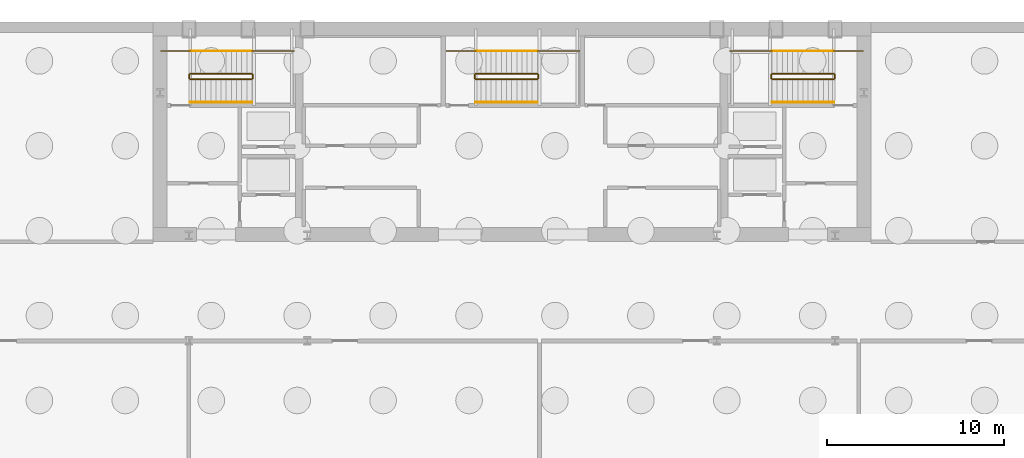
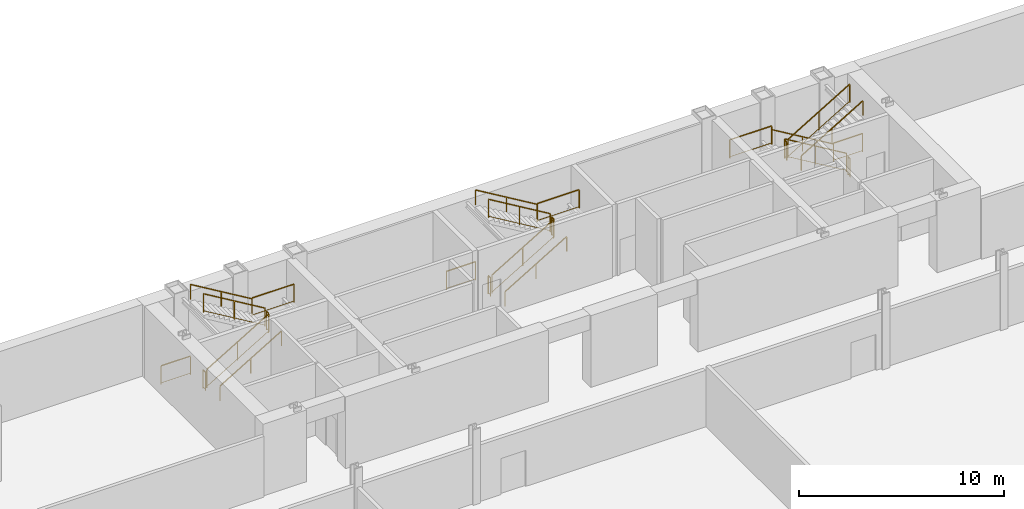
# One storey, part 10 of 11: 24 railings.
"""IFC4 building model written with IfcOpenShell, lengths in metres."""

from ifc_helpers import new_model, si_unit, direction, frame, origin, origin_2d, place, context, subcontext, project, spatial, rectangle, extrude, material, type_object, element, save


model = new_model("IFC4")

# Units and contexts
model_context = context("Model", 3, precision=1e-05, world=origin(), true_north=direction((0.0, 1.0)))
body_context = subcontext(model_context, "Body", "Model", "MODEL_VIEW")
ifc_project = project(units=[si_unit("LENGTHUNIT", "METRE"), si_unit("AREAUNIT", "SQUARE_METRE"), si_unit("VOLUMEUNIT", "CUBIC_METRE"), si_unit("PLANEANGLEUNIT", "RADIAN"), si_unit("MASSUNIT", "GRAM", prefix="KILO")], contexts=[model_context])

# Site, building, storey
site_placement = place(None, origin())
site = spatial("IfcSite", under=ifc_project, at=site_placement, CompositionType="ELEMENT")
building_placement = place(site_placement, origin())
building = spatial("IfcBuilding", under=site, at=building_placement, Name="Khoronbel Lancet Exchange", CompositionType="ELEMENT")
storey_placement = place(building_placement, frame((0.0, 0.0, -9.0)))
storey = spatial("IfcBuildingStorey", under=building, at=storey_placement, Name="B2", CompositionType="ELEMENT", Elevation=-9.0)

# Railings
ifc_material_1 = material(Name="Painted Steel Balustrade", Category="steel")
railing_type_1 = type_object("IfcRailingType", Name="RL-STG110", PredefinedType="GUARDRAIL", material=ifc_material_1)
railing_1_placement = place(storey_placement, frame((18.300048828125, 50.449951171875, 0.173095703125)))
element("IfcRailing", 1, at=railing_1_placement, inside=storey, type_object=railing_type_1, Name="B2 ST1 stair guard 1", PredefinedType="GUARDRAIL", context=body_context, shape_type="SweptSolid", body=[
    extrude(rectangle(XDim=0.048095703125, YDim=0.048095703125, at=origin_2d()), frame((0.0, 0.0, 1.09619140625), z_axis=(0.858697190188, 0.0, 0.512483302717), x_axis=(0.0, 1.0, 0.0)), (0.0, 0.0, 1.0), 4.052734375),
    extrude(rectangle(XDim=0.02392578125, YDim=0.02392578125, at=origin_2d()), frame((0.0, 0.0, 0.080078125), z_axis=(0.858697190188, 0.0, 0.512483302717), x_axis=(0.0, 1.0, 0.0)), (0.0, 0.0, 1.0), 4.052734375),
    extrude(rectangle(XDim=0.0419921875, YDim=0.0419921875, at=origin_2d()), origin(), (0.0, 0.0, 1.0), 1.072021484375),
    extrude(rectangle(XDim=0.0419921875, YDim=0.0419921875, at=origin_2d()), frame((1.739990234375, 0.0, 1.03857421875)), (0.0, 0.0, 1.0), 1.072021484375),
    extrude(rectangle(XDim=0.0419921875, YDim=0.0419921875, at=origin_2d()), frame((3.47998046875, 0.0, 2.076904296875)), (0.0, 0.0, 1.0), 1.072021484375),
])
railing_2_placement = place(storey_placement, frame((21.830078125, 50.5, 2.25)))
element("IfcRailing", 2, at=railing_2_placement, inside=storey, type_object=railing_type_1, Name="B2 ST1 stair guard 2", PredefinedType="GUARDRAIL", context=body_context, shape_type="SweptSolid", body=[
    extrude(rectangle(XDim=0.048095703125, YDim=0.048095703125, at=origin_2d()), frame((0.0, 0.0, 1.09619140625), z_axis=(0.0, 1.0, 0.0), x_axis=(-1.0, 0.0, 0.0)), (0.0, 0.0, 1.0), 0.219970703125),
    extrude(rectangle(XDim=0.02392578125, YDim=0.02392578125, at=origin_2d()), frame((0.0, 0.0, 0.080078125), z_axis=(0.0, 1.0, 0.0), x_axis=(-1.0, 0.0, 0.0)), (0.0, 0.0, 1.0), 0.219970703125),
    extrude(rectangle(XDim=0.0419921875, YDim=0.0419921875, at=origin_2d()), origin(), (0.0, 0.0, 1.0), 1.072021484375),
    extrude(rectangle(XDim=0.0419921875, YDim=0.0419921875, at=origin_2d()), frame((0.0, 0.219970703125, 0.0)), (0.0, 0.0, 1.0), 1.072021484375),
])
railing_3_placement = place(storey_placement, frame((21.780029296875, 52.050048828125, 2.25)))
element("IfcRailing", 3, at=railing_3_placement, inside=storey, type_object=railing_type_1, Name="B2 ST1 stair guard 3", PredefinedType="GUARDRAIL", context=body_context, shape_type="SweptSolid", body=[
    extrude(rectangle(XDim=0.048095703125, YDim=0.048095703125, at=origin_2d()), frame((0.0, 0.0, 1.09619140625), z_axis=(1.0, 0.0, 0.0), x_axis=(0.0, 1.0, 0.0)), (0.0, 0.0, 1.0), 2.369873046875),
    extrude(rectangle(XDim=0.02392578125, YDim=0.02392578125, at=origin_2d()), frame((0.0, 0.0, 0.080078125), z_axis=(1.0, 0.0, 0.0), x_axis=(0.0, 1.0, 0.0)), (0.0, 0.0, 1.0), 2.369873046875),
    extrude(rectangle(XDim=0.0419921875, YDim=0.0419921875, at=origin_2d()), origin(), (0.0, 0.0, 1.0), 1.072021484375),
    extrude(rectangle(XDim=0.0419921875, YDim=0.0419921875, at=origin_2d()), frame((2.369873046875, 0.0, 0.0)), (0.0, 0.0, 1.0), 1.072021484375),
])
railing_4_placement = place(storey_placement, frame((21.780029296875, 50.77001953125, 2.423095703125)))
element("IfcRailing", 4, at=railing_4_placement, inside=storey, type_object=railing_type_1, Name="B2 ST1 stair guard 4", PredefinedType="GUARDRAIL", context=body_context, shape_type="SweptSolid", body=[
    extrude(rectangle(XDim=0.048095703125, YDim=0.048095703125, at=origin_2d()), frame((0.0, 0.0, 1.09619140625), z_axis=(-0.858697190188, 0.0, 0.512483302717), x_axis=(0.0, -1.0, 0.0)), (0.0, 0.0, 1.0), 4.052734375),
    extrude(rectangle(XDim=0.02392578125, YDim=0.02392578125, at=origin_2d()), frame((0.0, 0.0, 0.080078125), z_axis=(-0.858697190188, 0.0, 0.512483302717), x_axis=(0.0, -1.0, 0.0)), (0.0, 0.0, 1.0), 4.052734375),
    extrude(rectangle(XDim=0.0419921875, YDim=0.0419921875, at=origin_2d()), origin(), (0.0, 0.0, 1.0), 1.072021484375),
    extrude(rectangle(XDim=0.0419921875, YDim=0.0419921875, at=origin_2d()), frame((-1.739990234375, 0.0, 1.03857421875)), (0.0, 0.0, 1.0), 1.072021484375),
    extrude(rectangle(XDim=0.0419921875, YDim=0.0419921875, at=origin_2d()), frame((-3.47998046875, 0.0, 2.076904296875)), (0.0, 0.0, 1.0), 1.072021484375),
])
railing_5_placement = place(storey_placement, frame((18.25, 50.5, 0.0)))
element("IfcRailing", 5, at=railing_5_placement, inside=storey, type_object=railing_type_1, Name="B2 ST1 stair guard 5", PredefinedType="GUARDRAIL", context=body_context, shape_type="SweptSolid", body=[
    extrude(rectangle(XDim=0.048095703125, YDim=0.048095703125, at=origin_2d()), frame((0.0, 0.0, 1.09619140625), z_axis=(0.0, 1.0, 0.0), x_axis=(-1.0, 0.0, 0.0)), (0.0, 0.0, 1.0), 0.219970703125),
    extrude(rectangle(XDim=0.02392578125, YDim=0.02392578125, at=origin_2d()), frame((0.0, 0.0, 0.080078125), z_axis=(0.0, 1.0, 0.0), x_axis=(-1.0, 0.0, 0.0)), (0.0, 0.0, 1.0), 0.219970703125),
    extrude(rectangle(XDim=0.0419921875, YDim=0.0419921875, at=origin_2d()), origin(), (0.0, 0.0, 1.0), 1.072021484375),
    extrude(rectangle(XDim=0.0419921875, YDim=0.0419921875, at=origin_2d()), frame((0.0, 0.219970703125, 0.0)), (0.0, 0.0, 1.0), 1.072021484375),
])
railing_6_placement = place(storey_placement, frame((16.64990234375, 52.050048828125, 0.0)))
element("IfcRailing", 6, at=railing_6_placement, inside=storey, type_object=railing_type_1, Name="B2 ST1 stair guard 6", PredefinedType="GUARDRAIL", context=body_context, shape_type="SweptSolid", body=[
    extrude(rectangle(XDim=0.048095703125, YDim=0.048095703125, at=origin_2d()), frame((0.0, 0.0, 1.09619140625), z_axis=(1.0, 0.0, 0.0), x_axis=(0.0, 1.0, 0.0)), (0.0, 0.0, 1.0), 1.650146484375),
    extrude(rectangle(XDim=0.02392578125, YDim=0.02392578125, at=origin_2d()), frame((0.0, 0.0, 0.080078125), z_axis=(1.0, 0.0, 0.0), x_axis=(0.0, 1.0, 0.0)), (0.0, 0.0, 1.0), 1.650146484375),
    extrude(rectangle(XDim=0.0419921875, YDim=0.0419921875, at=origin_2d()), origin(), (0.0, 0.0, 1.0), 1.072021484375),
    extrude(rectangle(XDim=0.0419921875, YDim=0.0419921875, at=origin_2d()), frame((1.650146484375, 0.0, 0.0)), (0.0, 0.0, 1.0), 1.072021484375),
])
railing_7_placement = place(storey_placement, frame((54.60009765625, 50.77001953125, 0.173095703125)))
element("IfcRailing", 7, at=railing_7_placement, inside=storey, type_object=railing_type_1, Name="B2 ST2 stair guard 1", PredefinedType="GUARDRAIL", context=body_context, shape_type="SweptSolid", body=[
    extrude(rectangle(XDim=0.048095703125, YDim=0.048095703125, at=origin_2d()), frame((0.0, 0.0, 1.09619140625), z_axis=(-0.858697190188, 0.0, 0.512483302717), x_axis=(0.0, -1.0, 0.0)), (0.0, 0.0, 1.0), 4.052734375),
    extrude(rectangle(XDim=0.02392578125, YDim=0.02392578125, at=origin_2d()), frame((0.0, 0.0, 0.080078125), z_axis=(-0.858697190188, 0.0, 0.512483302717), x_axis=(0.0, -1.0, 0.0)), (0.0, 0.0, 1.0), 4.052734375),
    extrude(rectangle(XDim=0.0419921875, YDim=0.0419921875, at=origin_2d()), origin(), (0.0, 0.0, 1.0), 1.072021484375),
    extrude(rectangle(XDim=0.0419921875, YDim=0.0419921875, at=origin_2d()), frame((-1.739990234375, 0.0, 1.03857421875)), (0.0, 0.0, 1.0), 1.072021484375),
    extrude(rectangle(XDim=0.0419921875, YDim=0.0419921875, at=origin_2d()), frame((-3.47998046875, 0.0, 2.076904296875)), (0.0, 0.0, 1.0), 1.072021484375),
])
railing_8_placement = place(storey_placement, frame((51.070068359375, 50.719970703125, 2.25)))
element("IfcRailing", 8, at=railing_8_placement, inside=storey, type_object=railing_type_1, Name="B2 ST2 stair guard 2", PredefinedType="GUARDRAIL", context=body_context, shape_type="SweptSolid", body=[
    extrude(rectangle(XDim=0.048095703125, YDim=0.048095703125, at=origin_2d()), frame((0.0, 0.0, 1.09619140625), z_axis=(0.0, -1.0, 0.0), x_axis=(1.0, 0.0, 0.0)), (0.0, 0.0, 1.0), 0.219970703125),
    extrude(rectangle(XDim=0.02392578125, YDim=0.02392578125, at=origin_2d()), frame((0.0, 0.0, 0.080078125), z_axis=(0.0, -1.0, 0.0), x_axis=(1.0, 0.0, 0.0)), (0.0, 0.0, 1.0), 0.219970703125),
    extrude(rectangle(XDim=0.0419921875, YDim=0.0419921875, at=origin_2d()), origin(), (0.0, 0.0, 1.0), 1.072021484375),
    extrude(rectangle(XDim=0.0419921875, YDim=0.0419921875, at=origin_2d()), frame((0.0, -0.219970703125, 0.0)), (0.0, 0.0, 1.0), 1.072021484375),
])
railing_9_placement = place(storey_placement, frame((51.1201171875, 52.050048828125, 2.25)))
element("IfcRailing", 9, at=railing_9_placement, inside=storey, type_object=railing_type_1, Name="B2 ST2 stair guard 3", PredefinedType="GUARDRAIL", context=body_context, shape_type="SweptSolid", body=[
    extrude(rectangle(XDim=0.048095703125, YDim=0.048095703125, at=origin_2d()), frame((0.0, 0.0, 1.09619140625), z_axis=(-1.0, 0.0, 0.0), x_axis=(0.0, -1.0, 0.0)), (0.0, 0.0, 1.0), 2.3701171875),
    extrude(rectangle(XDim=0.02392578125, YDim=0.02392578125, at=origin_2d()), frame((0.0, 0.0, 0.080078125), z_axis=(-1.0, 0.0, 0.0), x_axis=(0.0, -1.0, 0.0)), (0.0, 0.0, 1.0), 2.3701171875),
    extrude(rectangle(XDim=0.0419921875, YDim=0.0419921875, at=origin_2d()), origin(), (0.0, 0.0, 1.0), 1.072021484375),
    extrude(rectangle(XDim=0.0419921875, YDim=0.0419921875, at=origin_2d()), frame((-2.3701171875, 0.0, 0.0)), (0.0, 0.0, 1.0), 1.072021484375),
])
railing_10_placement = place(storey_placement, frame((51.1201171875, 50.449951171875, 2.423095703125)))
element("IfcRailing", 10, at=railing_10_placement, inside=storey, type_object=railing_type_1, Name="B2 ST2 stair guard 4", PredefinedType="GUARDRAIL", context=body_context, shape_type="SweptSolid", body=[
    extrude(rectangle(XDim=0.048095703125, YDim=0.048095703125, at=origin_2d()), frame((0.0, 0.0, 1.09619140625), z_axis=(0.858697190188, 0.0, 0.512483302717), x_axis=(0.0, 1.0, 0.0)), (0.0, 0.0, 1.0), 4.052734375),
    extrude(rectangle(XDim=0.02392578125, YDim=0.02392578125, at=origin_2d()), frame((0.0, 0.0, 0.080078125), z_axis=(0.858697190188, 0.0, 0.512483302717), x_axis=(0.0, 1.0, 0.0)), (0.0, 0.0, 1.0), 4.052734375),
    extrude(rectangle(XDim=0.0419921875, YDim=0.0419921875, at=origin_2d()), origin(), (0.0, 0.0, 1.0), 1.072021484375),
    extrude(rectangle(XDim=0.0419921875, YDim=0.0419921875, at=origin_2d()), frame((1.739990234375, 0.0, 1.03857421875)), (0.0, 0.0, 1.0), 1.072021484375),
    extrude(rectangle(XDim=0.0419921875, YDim=0.0419921875, at=origin_2d()), frame((3.47998046875, 0.0, 2.076904296875)), (0.0, 0.0, 1.0), 1.072021484375),
])
railing_11_placement = place(storey_placement, frame((54.64990234375, 50.719970703125, 0.0)))
element("IfcRailing", 11, at=railing_11_placement, inside=storey, type_object=railing_type_1, Name="B2 ST2 stair guard 5", PredefinedType="GUARDRAIL", context=body_context, shape_type="SweptSolid", body=[
    extrude(rectangle(XDim=0.048095703125, YDim=0.048095703125, at=origin_2d()), frame((0.0, 0.0, 1.09619140625), z_axis=(0.0, -1.0, 0.0), x_axis=(1.0, 0.0, 0.0)), (0.0, 0.0, 1.0), 0.219970703125),
    extrude(rectangle(XDim=0.02392578125, YDim=0.02392578125, at=origin_2d()), frame((0.0, 0.0, 0.080078125), z_axis=(0.0, -1.0, 0.0), x_axis=(1.0, 0.0, 0.0)), (0.0, 0.0, 1.0), 0.219970703125),
    extrude(rectangle(XDim=0.0419921875, YDim=0.0419921875, at=origin_2d()), origin(), (0.0, 0.0, 1.0), 1.072021484375),
    extrude(rectangle(XDim=0.0419921875, YDim=0.0419921875, at=origin_2d()), frame((0.0, -0.219970703125, 0.0)), (0.0, 0.0, 1.0), 1.072021484375),
])
railing_12_placement = place(storey_placement, frame((56.25, 52.050048828125, 0.0)))
element("IfcRailing", 12, at=railing_12_placement, inside=storey, type_object=railing_type_1, Name="B2 ST2 stair guard 6", PredefinedType="GUARDRAIL", context=body_context, shape_type="SweptSolid", body=[
    extrude(rectangle(XDim=0.048095703125, YDim=0.048095703125, at=origin_2d()), frame((0.0, 0.0, 1.09619140625), z_axis=(-1.0, 0.0, 0.0), x_axis=(0.0, -1.0, 0.0)), (0.0, 0.0, 1.0), 1.64990234375),
    extrude(rectangle(XDim=0.02392578125, YDim=0.02392578125, at=origin_2d()), frame((0.0, 0.0, 0.080078125), z_axis=(-1.0, 0.0, 0.0), x_axis=(0.0, -1.0, 0.0)), (0.0, 0.0, 1.0), 1.64990234375),
    extrude(rectangle(XDim=0.0419921875, YDim=0.0419921875, at=origin_2d()), origin(), (0.0, 0.0, 1.0), 1.072021484375),
    extrude(rectangle(XDim=0.0419921875, YDim=0.0419921875, at=origin_2d()), frame((-1.64990234375, 0.0, 0.0)), (0.0, 0.0, 1.0), 1.072021484375),
])
railing_13_placement = place(storey_placement, frame((34.39990234375, 50.449951171875, 0.173095703125)))
element("IfcRailing", 13, at=railing_13_placement, inside=storey, type_object=railing_type_1, Name="B2 ST3 stair guard 1", PredefinedType="GUARDRAIL", context=body_context, shape_type="SweptSolid", body=[
    extrude(rectangle(XDim=0.048095703125, YDim=0.048095703125, at=origin_2d()), frame((0.0, 0.0, 1.09619140625), z_axis=(0.858697190188, 0.0, 0.512483302717), x_axis=(0.0, 1.0, 0.0)), (0.0, 0.0, 1.0), 4.052734375),
    extrude(rectangle(XDim=0.02392578125, YDim=0.02392578125, at=origin_2d()), frame((0.0, 0.0, 0.080078125), z_axis=(0.858697190188, 0.0, 0.512483302717), x_axis=(0.0, 1.0, 0.0)), (0.0, 0.0, 1.0), 4.052734375),
    extrude(rectangle(XDim=0.0419921875, YDim=0.0419921875, at=origin_2d()), origin(), (0.0, 0.0, 1.0), 1.072021484375),
    extrude(rectangle(XDim=0.0419921875, YDim=0.0419921875, at=origin_2d()), frame((1.739990234375, 0.0, 1.03857421875)), (0.0, 0.0, 1.0), 1.072021484375),
    extrude(rectangle(XDim=0.0419921875, YDim=0.0419921875, at=origin_2d()), frame((3.47998046875, 0.0, 2.076904296875)), (0.0, 0.0, 1.0), 1.072021484375),
])
railing_14_placement = place(storey_placement, frame((37.929931640625, 50.5, 2.25)))
element("IfcRailing", 14, at=railing_14_placement, inside=storey, type_object=railing_type_1, Name="B2 ST3 stair guard 2", PredefinedType="GUARDRAIL", context=body_context, shape_type="SweptSolid", body=[
    extrude(rectangle(XDim=0.048095703125, YDim=0.048095703125, at=origin_2d()), frame((0.0, 0.0, 1.09619140625), z_axis=(0.0, 1.0, 0.0), x_axis=(-1.0, 0.0, 0.0)), (0.0, 0.0, 1.0), 0.219970703125),
    extrude(rectangle(XDim=0.02392578125, YDim=0.02392578125, at=origin_2d()), frame((0.0, 0.0, 0.080078125), z_axis=(0.0, 1.0, 0.0), x_axis=(-1.0, 0.0, 0.0)), (0.0, 0.0, 1.0), 0.219970703125),
    extrude(rectangle(XDim=0.0419921875, YDim=0.0419921875, at=origin_2d()), origin(), (0.0, 0.0, 1.0), 1.072021484375),
    extrude(rectangle(XDim=0.0419921875, YDim=0.0419921875, at=origin_2d()), frame((0.0, 0.219970703125, 0.0)), (0.0, 0.0, 1.0), 1.072021484375),
])
railing_15_placement = place(storey_placement, frame((37.8798828125, 52.050048828125, 2.25)))
element("IfcRailing", 15, at=railing_15_placement, inside=storey, type_object=railing_type_1, Name="B2 ST3 stair guard 3", PredefinedType="GUARDRAIL", context=body_context, shape_type="SweptSolid", body=[
    extrude(rectangle(XDim=0.048095703125, YDim=0.048095703125, at=origin_2d()), frame((0.0, 0.0, 1.09619140625), z_axis=(1.0, 0.0, 0.0), x_axis=(0.0, 1.0, 0.0)), (0.0, 0.0, 1.0), 2.3701171875),
    extrude(rectangle(XDim=0.02392578125, YDim=0.02392578125, at=origin_2d()), frame((0.0, 0.0, 0.080078125), z_axis=(1.0, 0.0, 0.0), x_axis=(0.0, 1.0, 0.0)), (0.0, 0.0, 1.0), 2.3701171875),
    extrude(rectangle(XDim=0.0419921875, YDim=0.0419921875, at=origin_2d()), origin(), (0.0, 0.0, 1.0), 1.072021484375),
    extrude(rectangle(XDim=0.0419921875, YDim=0.0419921875, at=origin_2d()), frame((2.3701171875, 0.0, 0.0)), (0.0, 0.0, 1.0), 1.072021484375),
])
railing_16_placement = place(storey_placement, frame((37.8798828125, 50.77001953125, 2.423095703125)))
element("IfcRailing", 16, at=railing_16_placement, inside=storey, type_object=railing_type_1, Name="B2 ST3 stair guard 4", PredefinedType="GUARDRAIL", context=body_context, shape_type="SweptSolid", body=[
    extrude(rectangle(XDim=0.048095703125, YDim=0.048095703125, at=origin_2d()), frame((0.0, 0.0, 1.09619140625), z_axis=(-0.858697190188, 0.0, 0.512483302717), x_axis=(0.0, -1.0, 0.0)), (0.0, 0.0, 1.0), 4.052734375),
    extrude(rectangle(XDim=0.02392578125, YDim=0.02392578125, at=origin_2d()), frame((0.0, 0.0, 0.080078125), z_axis=(-0.858697190188, 0.0, 0.512483302717), x_axis=(0.0, -1.0, 0.0)), (0.0, 0.0, 1.0), 4.052734375),
    extrude(rectangle(XDim=0.0419921875, YDim=0.0419921875, at=origin_2d()), origin(), (0.0, 0.0, 1.0), 1.072021484375),
    extrude(rectangle(XDim=0.0419921875, YDim=0.0419921875, at=origin_2d()), frame((-1.739990234375, 0.0, 1.03857421875)), (0.0, 0.0, 1.0), 1.072021484375),
    extrude(rectangle(XDim=0.0419921875, YDim=0.0419921875, at=origin_2d()), frame((-3.47998046875, 0.0, 2.076904296875)), (0.0, 0.0, 1.0), 1.072021484375),
])
railing_17_placement = place(storey_placement, frame((34.35009765625, 50.5, 0.0)))
element("IfcRailing", 17, at=railing_17_placement, inside=storey, type_object=railing_type_1, Name="B2 ST3 stair guard 5", PredefinedType="GUARDRAIL", context=body_context, shape_type="SweptSolid", body=[
    extrude(rectangle(XDim=0.048095703125, YDim=0.048095703125, at=origin_2d()), frame((0.0, 0.0, 1.09619140625), z_axis=(0.0, 1.0, 0.0), x_axis=(-1.0, 0.0, 0.0)), (0.0, 0.0, 1.0), 0.219970703125),
    extrude(rectangle(XDim=0.02392578125, YDim=0.02392578125, at=origin_2d()), frame((0.0, 0.0, 0.080078125), z_axis=(0.0, 1.0, 0.0), x_axis=(-1.0, 0.0, 0.0)), (0.0, 0.0, 1.0), 0.219970703125),
    extrude(rectangle(XDim=0.0419921875, YDim=0.0419921875, at=origin_2d()), origin(), (0.0, 0.0, 1.0), 1.072021484375),
    extrude(rectangle(XDim=0.0419921875, YDim=0.0419921875, at=origin_2d()), frame((0.0, 0.219970703125, 0.0)), (0.0, 0.0, 1.0), 1.072021484375),
])
railing_18_placement = place(storey_placement, frame((32.75, 52.050048828125, 0.0)))
element("IfcRailing", 18, at=railing_18_placement, inside=storey, type_object=railing_type_1, Name="B2 ST3 stair guard 6", PredefinedType="GUARDRAIL", context=body_context, shape_type="SweptSolid", body=[
    extrude(rectangle(XDim=0.048095703125, YDim=0.048095703125, at=origin_2d()), frame((0.0, 0.0, 1.09619140625), z_axis=(1.0, 0.0, 0.0), x_axis=(0.0, 1.0, 0.0)), (0.0, 0.0, 1.0), 1.64990234375),
    extrude(rectangle(XDim=0.02392578125, YDim=0.02392578125, at=origin_2d()), frame((0.0, 0.0, 0.080078125), z_axis=(1.0, 0.0, 0.0), x_axis=(0.0, 1.0, 0.0)), (0.0, 0.0, 1.0), 1.64990234375),
    extrude(rectangle(XDim=0.0419921875, YDim=0.0419921875, at=origin_2d()), origin(), (0.0, 0.0, 1.0), 1.072021484375),
    extrude(rectangle(XDim=0.0419921875, YDim=0.0419921875, at=origin_2d()), frame((1.64990234375, 0.0, 0.0)), (0.0, 0.0, 1.0), 1.072021484375),
])
ifc_material_2 = material(Name="Brushed Stainless Steel 316", Category="steel")
railing_type_2 = type_object("IfcRailingType", Name="RL-STH92", PredefinedType="HANDRAIL", material=ifc_material_2)
railing_19_placement = place(storey_placement, frame((18.300048828125, 49.169921875, 0.173095703125)))
element("IfcRailing", 19, at=railing_19_placement, inside=storey, type_object=railing_type_2, Name="B2 ST1 stair handrail 1", PredefinedType="HANDRAIL", context=body_context, shape_type="SweptSolid", body=[
    extrude(rectangle(XDim=0.048095703125, YDim=0.048095703125, at=origin_2d()), frame((0.0, 0.0, 0.8759765625), z_axis=(0.858697190188, 0.0, 0.512483302717), x_axis=(0.0, 1.0, 0.0)), (0.0, 0.0, 1.0), 4.052734375),
    extrude(rectangle(XDim=0.0419921875, YDim=0.0419921875, at=origin_2d()), origin(), (0.0, 0.0, 1.0), 0.851806640625),
    extrude(rectangle(XDim=0.0419921875, YDim=0.0419921875, at=origin_2d()), frame((1.739990234375, 0.0, 1.03857421875)), (0.0, 0.0, 1.0), 0.851806640625),
    extrude(rectangle(XDim=0.0419921875, YDim=0.0419921875, at=origin_2d()), frame((3.47998046875, 0.0, 2.076904296875)), (0.0, 0.0, 1.0), 0.851806640625),
])
for number, where, name in (
    (20, (21.780029296875, 52.050048828125, 2.423095703125), "B2 ST1 stair handrail 2"),
    (21, (54.60009765625, 52.050048828125, 0.173095703125), "B2 ST2 stair handrail 1"),
):
    element("IfcRailing", number, at=place(storey_placement, frame(where)), inside=storey, type_object=railing_type_2, Name=name, PredefinedType="HANDRAIL", context=body_context, shape_type="SweptSolid", body=[
        extrude(rectangle(XDim=0.048095703125, YDim=0.048095703125, at=origin_2d()), frame((0.0, 0.0, 0.8759765625), z_axis=(-0.858697190188, 0.0, 0.512483302717), x_axis=(0.0, -1.0, 0.0)), (0.0, 0.0, 1.0), 4.052734375),
        extrude(rectangle(XDim=0.0419921875, YDim=0.0419921875, at=origin_2d()), origin(), (0.0, 0.0, 1.0), 0.851806640625),
        extrude(rectangle(XDim=0.0419921875, YDim=0.0419921875, at=origin_2d()), frame((-1.739990234375, 0.0, 1.03857421875)), (0.0, 0.0, 1.0), 0.851806640625),
        extrude(rectangle(XDim=0.0419921875, YDim=0.0419921875, at=origin_2d()), frame((-3.47998046875, 0.0, 2.076904296875)), (0.0, 0.0, 1.0), 0.851806640625),
    ])
for number, where, name in (
    (22, (51.1201171875, 49.169921875, 2.423095703125), "B2 ST2 stair handrail 2"),
    (23, (34.39990234375, 49.169921875, 0.173095703125), "B2 ST3 stair handrail 1"),
):
    element("IfcRailing", number, at=place(storey_placement, frame(where)), inside=storey, type_object=railing_type_2, Name=name, PredefinedType="HANDRAIL", context=body_context, shape_type="SweptSolid", body=[
        extrude(rectangle(XDim=0.048095703125, YDim=0.048095703125, at=origin_2d()), frame((0.0, 0.0, 0.8759765625), z_axis=(0.858697190188, 0.0, 0.512483302717), x_axis=(0.0, 1.0, 0.0)), (0.0, 0.0, 1.0), 4.052734375),
        extrude(rectangle(XDim=0.0419921875, YDim=0.0419921875, at=origin_2d()), origin(), (0.0, 0.0, 1.0), 0.851806640625),
        extrude(rectangle(XDim=0.0419921875, YDim=0.0419921875, at=origin_2d()), frame((1.739990234375, 0.0, 1.03857421875)), (0.0, 0.0, 1.0), 0.851806640625),
        extrude(rectangle(XDim=0.0419921875, YDim=0.0419921875, at=origin_2d()), frame((3.47998046875, 0.0, 2.076904296875)), (0.0, 0.0, 1.0), 0.851806640625),
    ])
railing_20_placement = place(storey_placement, frame((37.8798828125, 52.050048828125, 2.423095703125)))
element("IfcRailing", 24, at=railing_20_placement, inside=storey, type_object=railing_type_2, Name="B2 ST3 stair handrail 2", PredefinedType="HANDRAIL", context=body_context, shape_type="SweptSolid", body=[
    extrude(rectangle(XDim=0.048095703125, YDim=0.048095703125, at=origin_2d()), frame((0.0, 0.0, 0.8759765625), z_axis=(-0.858697190188, 0.0, 0.512483302717), x_axis=(0.0, -1.0, 0.0)), (0.0, 0.0, 1.0), 4.052734375),
    extrude(rectangle(XDim=0.0419921875, YDim=0.0419921875, at=origin_2d()), origin(), (0.0, 0.0, 1.0), 0.851806640625),
    extrude(rectangle(XDim=0.0419921875, YDim=0.0419921875, at=origin_2d()), frame((-1.739990234375, 0.0, 1.03857421875)), (0.0, 0.0, 1.0), 0.851806640625),
    extrude(rectangle(XDim=0.0419921875, YDim=0.0419921875, at=origin_2d()), frame((-3.47998046875, 0.0, 2.076904296875)), (0.0, 0.0, 1.0), 0.851806640625),
])

save(model, "model.ifc")
